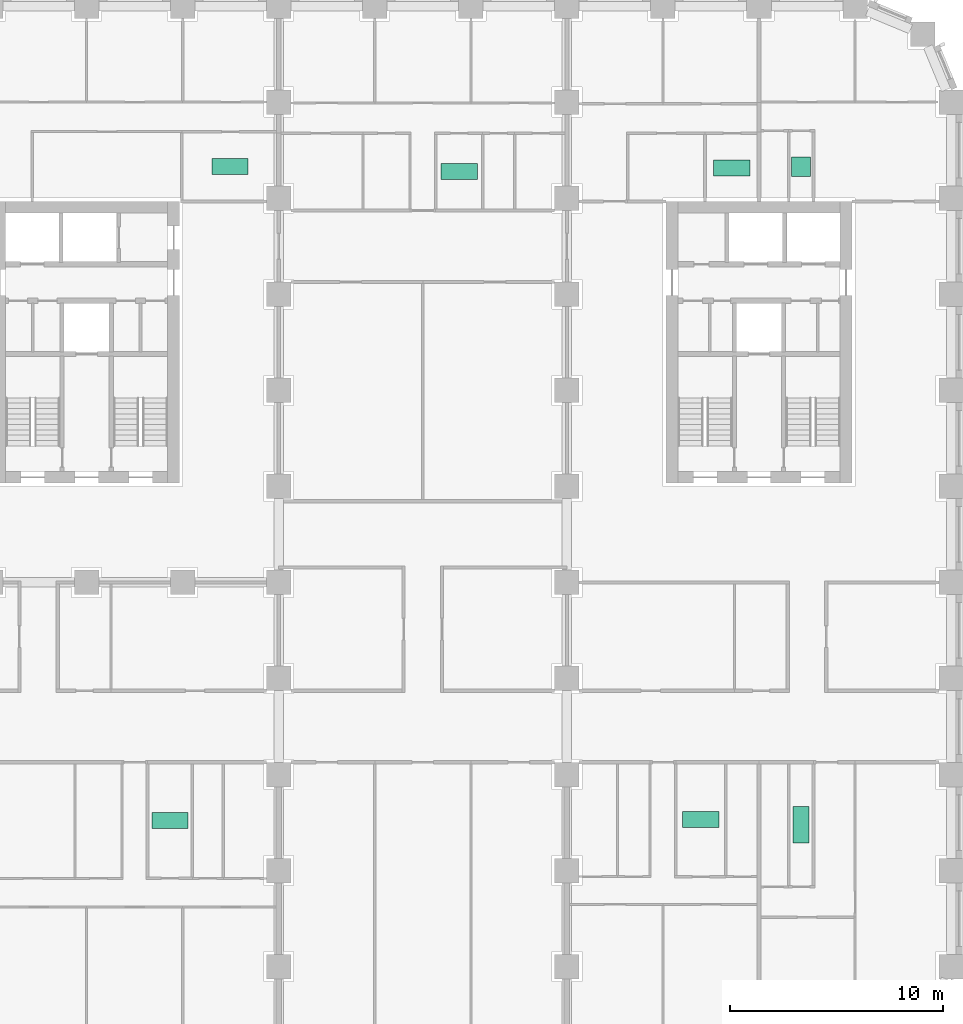
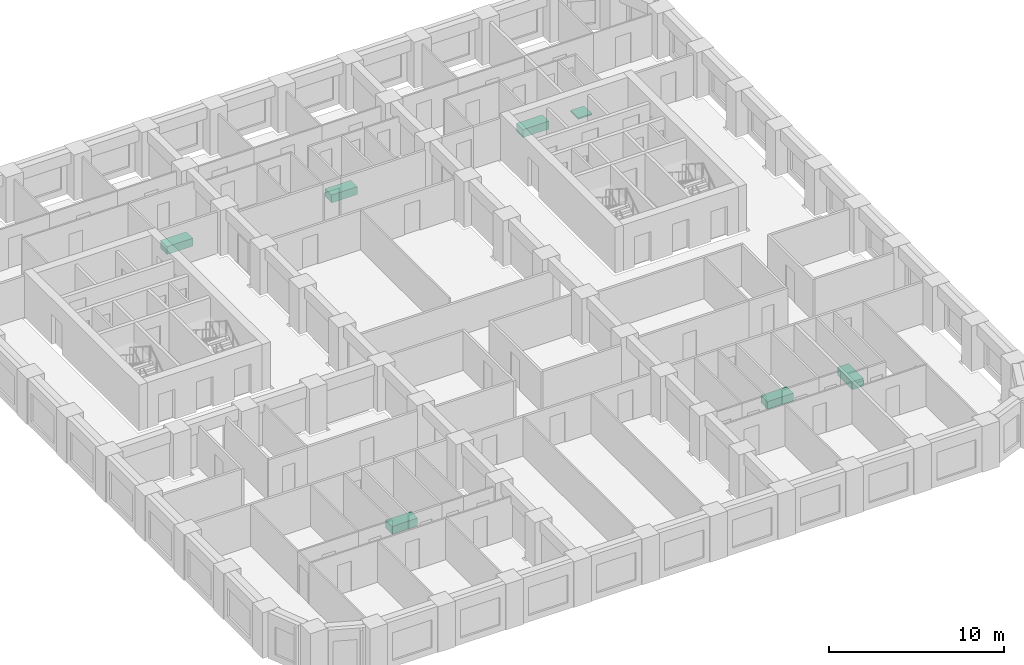
# One storey, part 13 of 13: 7 sanitary terminals.
"""IFC4 building model written with IfcOpenShell, lengths in metres."""

import ifcopenshell
import ifcopenshell.guid

model = None  # the IFC model being written
_history = None  # IfcOwnerHistory: only IFC2X3 demands one
_inside = {}  # id of a spatial element -> (the spatial element, [elements in it])
_under = {}  # id of a project, library or spatial element -> (it, [spatial elements below it])
_declared = {}  # id of a project -> (the project, [libraries it declares])
_typed = {}  # id of a type object -> (the type object, [elements of that type])
_made_of = {}  # id of a material, layer set ... -> (it, [elements and type objects made of it])


def new_model(schema):
    """Start an empty IFC model of exactly this schema.

    Asked for "IFC4X3", IfcOpenShell would pick the latest addendum, in which some entities
    have other attributes; the version numbers below select the first issue.
    IFC2X3 requires an IfcOwnerHistory on every rooted entity: one is made here for all.
    """
    global model, _history
    if schema == "IFC4X3":
        model = ifcopenshell.file(schema_version=(4, 3, 0, 0))
    else:
        model = ifcopenshell.file(schema=schema)
    _inside.clear()
    _under.clear()
    _declared.clear()
    _typed.clear()
    _made_of.clear()
    _history = None
    if model.schema == "IFC2X3":
        org = make("IfcOrganization", Name="unknown")
        user = make(
            "IfcPersonAndOrganization",
            ThePerson=make("IfcPerson", FamilyName="unknown"),
            TheOrganization=org,
        )
        app = make(
            "IfcApplication",
            ApplicationDeveloper=org,
            Version="unknown",
            ApplicationFullName="unknown",
            ApplicationIdentifier="unknown",
        )
        _history = make(
            "IfcOwnerHistory",
            OwningUser=user,
            OwningApplication=app,
            ChangeAction="ADDED",
            CreationDate=0,
        )
    return model


def make(cls, **values):
    """One entity of the class cls with the attributes given. An attribute that is None is left unset."""
    return model.create_entity(
        cls, **{name: value for name, value in values.items() if value is not None}
    )


def rooted(cls, **values):
    """An entity with a GlobalId (a new one), such as an element, a storey or a relation."""
    return make(cls, GlobalId=ifcopenshell.guid.new(), OwnerHistory=_history, **values)


def si_unit(unit_type, name, prefix=None):
    """IfcSIUnit, for example si_unit("LENGTHUNIT", "METRE", prefix="MILLI")."""
    return make("IfcSIUnit", UnitType=unit_type, Prefix=prefix, Name=name)


def assignment(units):
    """IfcUnitAssignment: the units of a project."""
    return None if units is None else make("IfcUnitAssignment", Units=units)


def point(xyz):
    """IfcCartesianPoint."""
    return None if xyz is None else make("IfcCartesianPoint", Coordinates=xyz)


def direction(xyz):
    """IfcDirection."""
    return None if xyz is None else make("IfcDirection", DirectionRatios=xyz)


def frame(location, z_axis=None, x_axis=None):
    """IfcAxis2Placement3D, a coordinate frame: its origin and axes. An axis left out is left unset."""
    return make(
        "IfcAxis2Placement3D",
        Location=point(location),
        Axis=direction(z_axis),
        RefDirection=direction(x_axis),
    )


def frame_2d(location, x_axis=None):
    """IfcAxis2Placement2D, a coordinate frame in the plane: its origin and x axis."""
    return make(
        "IfcAxis2Placement2D", Location=point(location), RefDirection=direction(x_axis)
    )


def origin():
    """The frame at (0, 0, 0) with its axes left unset."""
    return frame((0.0, 0.0, 0.0))


def origin_2d():
    """The frame at (0, 0) in the plane with its x axis left unset."""
    return frame_2d((0.0, 0.0))


def place(relative_to, where):
    """IfcLocalPlacement: puts the frame where relative to a parent placement (None: the world)."""
    return make(
        "IfcLocalPlacement", PlacementRelTo=relative_to, RelativePlacement=where
    )


def context(
    kind, dimensions, precision=None, world=None, true_north=None, identifier=None
):
    """IfcGeometricRepresentationContext, for example the 3D "Model" context."""
    return make(
        "IfcGeometricRepresentationContext",
        ContextIdentifier=identifier,
        ContextType=kind,
        CoordinateSpaceDimension=dimensions,
        Precision=precision,
        WorldCoordinateSystem=world,
        TrueNorth=true_north,
    )


def subcontext(parent, identifier, kind, view, scale=None):
    """IfcGeometricRepresentationSubContext, for example "Body" below "Model"."""
    return make(
        "IfcGeometricRepresentationSubContext",
        ContextIdentifier=identifier,
        ContextType=kind,
        ParentContext=parent,
        TargetScale=scale,
        TargetView=view,
    )


def project(units=None, contexts=None):
    """IfcProject with its units and contexts."""
    return rooted(
        "IfcProject",
        Name="project",
        RepresentationContexts=contexts,
        UnitsInContext=assignment(units),
    )


def spatial(cls, under=None, at=None, **own):
    """A site, building, storey or space (cls), placed at a placement, below another one or the project."""
    s = rooted(cls, ObjectPlacement=at, **own)
    if under is not None:
        _under.setdefault(under.id(), (under, []))[1].append(s)
    return s


def profile(cls, at=None, kind="AREA", **sizes):
    """A parametric profile (cls). Its sizes go by their IFC names, for example OverallWidth=200.0."""
    return make(cls, ProfileType=kind, Position=at, **sizes)


def rectangle(**sizes):
    """IfcRectangleProfileDef."""
    return profile("IfcRectangleProfileDef", **sizes)


def extrude(swept, where, along, depth):
    """IfcExtrudedAreaSolid: the profile swept, set in the frame where, extruded along a direction by depth."""
    return make(
        "IfcExtrudedAreaSolid",
        SweptArea=swept,
        Position=where,
        ExtrudedDirection=direction(along),
        Depth=depth,
    )


def shape(context_of_items, identifier, shape_type, items):
    """IfcShapeRepresentation: the items that make up one representation, for example the "Body"."""
    return make(
        "IfcShapeRepresentation",
        ContextOfItems=context_of_items,
        RepresentationIdentifier=identifier,
        RepresentationType=shape_type,
        Items=items,
    )


def material(Name=None, Category=None):
    """IfcMaterial."""
    return make("IfcMaterial", Name=Name, Category=Category)


def made_of(thing, what):
    """Note that an element or type object is made of a material, layer set ...; save() writes the relation."""
    if what is not None:
        _made_of.setdefault(what.id(), (what, []))[1].append(thing)
    return thing


def type_object(cls, material=None, **own):
    """A type object (cls), such as IfcWallType, which elements share."""
    return made_of(rooted(cls, **own), material)


def element(
    cls,
    number,
    at=None,
    inside=None,
    cuts=None,
    type_object=None,
    material=None,
    context=None,
    identifier="Body",
    shape_type=None,
    held_by="IfcProductDefinitionShape",
    body=None,
    shapes=None,
    **own,
):
    """One element of the class cls, such as IfcWall. Its Tag is "e" and its number.

    at: its placement. inside: the storey or other place that contains it. cuts: it is an
    opening in that element (IfcRelVoidsElement). A single representation is given by context,
    identifier, shape_type and body (its items); several are given by shapes. held_by: the class
    of the entity that holds the representations. save() writes the other relations.
    """
    e = rooted(cls, Tag="e%d" % number, ObjectPlacement=at, **own)
    if body is not None:
        shapes = [shape(context, identifier, shape_type, body)]
    if shapes is not None:
        e.Representation = make(held_by, Representations=shapes)
    if inside is not None:
        _inside.setdefault(inside.id(), (inside, []))[1].append(e)
    if cuts is not None:
        rooted(
            "IfcRelVoidsElement", RelatingBuildingElement=cuts, RelatedOpeningElement=e
        )
    if type_object is not None:
        _typed.setdefault(type_object.id(), (type_object, []))[1].append(e)
    return made_of(e, material)


def aggregate(whole, parts):
    """IfcRelAggregates: a whole, such as a stair, and the parts it consists of."""
    return rooted("IfcRelAggregates", RelatingObject=whole, RelatedObjects=parts)


def save(model, path):
    """Write the relations noted so far, then the file.

    IfcRelAggregates (storeys below a building ...), IfcRelContainedInSpatialStructure (elements
    in a storey), IfcRelDefinesByType, IfcRelAssociatesMaterial and IfcRelDeclares: one each for
    every whole, place, type object, material and project.
    """
    for whole, parts in _under.values():
        aggregate(whole, parts)
    for where, things in _inside.values():
        rooted(
            "IfcRelContainedInSpatialStructure",
            RelatedElements=things,
            RelatingStructure=where,
        )
    for kind, things in _typed.values():
        rooted("IfcRelDefinesByType", RelatedObjects=things, RelatingType=kind)
    for what, things in _made_of.values():
        rooted("IfcRelAssociatesMaterial", RelatedObjects=things, RelatingMaterial=what)
    for by, libraries in _declared.values():
        rooted("IfcRelDeclares", RelatingContext=by, RelatedDefinitions=libraries)
    model.write(path)


model = new_model("IFC4")

# Units and contexts
model_context = context("Model", 3, precision=1e-05, world=origin(), true_north=direction((0.0, 1.0)))
body_context = subcontext(model_context, "Body", "Model", "MODEL_VIEW")
ifc_project = project(units=[si_unit("LENGTHUNIT", "METRE"), si_unit("AREAUNIT", "SQUARE_METRE"), si_unit("VOLUMEUNIT", "CUBIC_METRE"), si_unit("PLANEANGLEUNIT", "RADIAN"), si_unit("MASSUNIT", "GRAM", prefix="KILO")], contexts=[model_context])

# Site, building, storey
site_placement = place(None, origin())
site = spatial("IfcSite", under=ifc_project, at=site_placement, CompositionType="ELEMENT")
building_placement = place(site_placement, origin())
building = spatial("IfcBuilding", under=site, at=building_placement, Name="Girih Gate Residences", CompositionType="ELEMENT")
storey_placement = place(building_placement, frame((0.0, 0.0, 80.0)))
storey = spatial("IfcBuildingStorey", under=building, at=storey_placement, Name="L21", CompositionType="ELEMENT", Elevation=80.0)

# Sanitary terminals
ifc_material = material(Name="Acrylic")
sanitary_terminal_type_1 = type_object("IfcSanitaryTerminalType", Name="Bath 1700", PredefinedType="BATH", material=ifc_material)
for number, where, z_axis, x_axis, name in (
    (1, (12.902099609375, 11.34912109375, 0.0), (0.0, 0.0, 1.0), (1.0, 0.0, 0.0), "Bath 1700 L21"),
    (2, (15.712890625, 41.990966796875, 0.0), (0.0, 0.0, 1.0), (1.0, 0.0, 0.0), "Bath 1700 L21"),
):
    element("IfcSanitaryTerminal", number, at=place(storey_placement, frame(where, z_axis=z_axis, x_axis=x_axis)), inside=storey, type_object=sanitary_terminal_type_1, Name=name, PredefinedType="BATH", context=body_context, shape_type="SweptSolid", body=[
        extrude(rectangle(XDim=1.699951171875, YDim=0.75, at=origin_2d()), origin(), (0.0, 0.0, 1.0), 0.550048828125),
    ])
sanitary_terminal_1_placement = place(storey_placement, frame((42.470947265625, 11.14892578125, 0.0), z_axis=(0.0, 0.0, 1.0), x_axis=(1.0, 0.0, 0.0)))
element("IfcSanitaryTerminal", 3, at=sanitary_terminal_1_placement, inside=storey, type_object=sanitary_terminal_type_1, Name="Bath 1700 L21", PredefinedType="BATH", context=body_context, shape_type="SweptSolid", body=[
    extrude(rectangle(XDim=0.75, YDim=1.699951171875, at=origin_2d()), origin(), (0.0, 0.0, 1.0), 0.550048828125),
])
for number, where, z_axis, x_axis, name in (
    (4, (37.77294921875, 11.388916015625, 0.0), (0.0, 0.0, 1.0), (1.0, 0.0, 0.0), "Bath 1700 L21"),
    (5, (39.218017578125, 41.916015625, 0.0), (0.0, 0.0, 1.0), (1.0, 0.0, 0.0), "Bath 1700 L21"),
    (6, (26.452880859375, 41.740966796875, 0.0), (0.0, 0.0, 1.0), (1.0, 0.0, 0.0), "Bath 1700 L21"),
):
    element("IfcSanitaryTerminal", number, at=place(storey_placement, frame(where, z_axis=z_axis, x_axis=x_axis)), inside=storey, type_object=sanitary_terminal_type_1, Name=name, PredefinedType="BATH", context=body_context, shape_type="SweptSolid", body=[
        extrude(rectangle(XDim=1.699951171875, YDim=0.75, at=origin_2d()), origin(), (0.0, 0.0, 1.0), 0.550048828125),
    ])
sanitary_terminal_type_2 = type_object("IfcSanitaryTerminalType", Name="Shower tray 900", PredefinedType="SHOWER", material=ifc_material)
sanitary_terminal_2_placement = place(storey_placement, frame((42.470947265625, 41.97412109375, 0.0), z_axis=(0.0, 0.0, 1.0), x_axis=(1.0, 0.0, 0.0)))
element("IfcSanitaryTerminal", 7, at=sanitary_terminal_2_placement, inside=storey, type_object=sanitary_terminal_type_2, Name="Shower tray 900 L21", PredefinedType="SHOWER", context=body_context, shape_type="SweptSolid", body=[
    extrude(rectangle(XDim=0.89990234375, YDim=0.89990234375, at=origin_2d()), origin(), (0.0, 0.0, 1.0), 0.10009765625),
])

save(model, "model.ifc")
